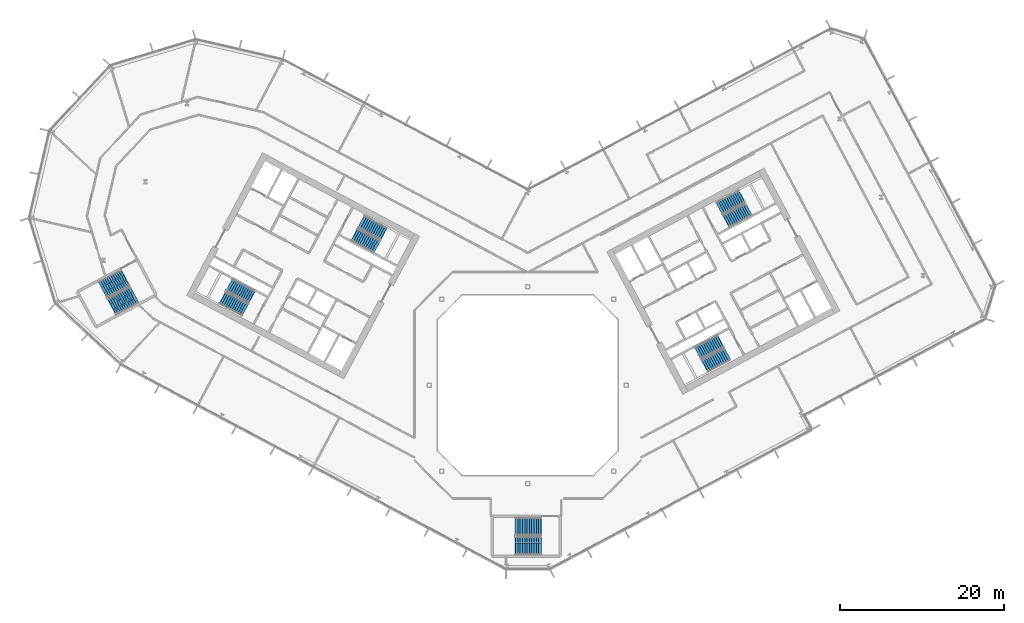
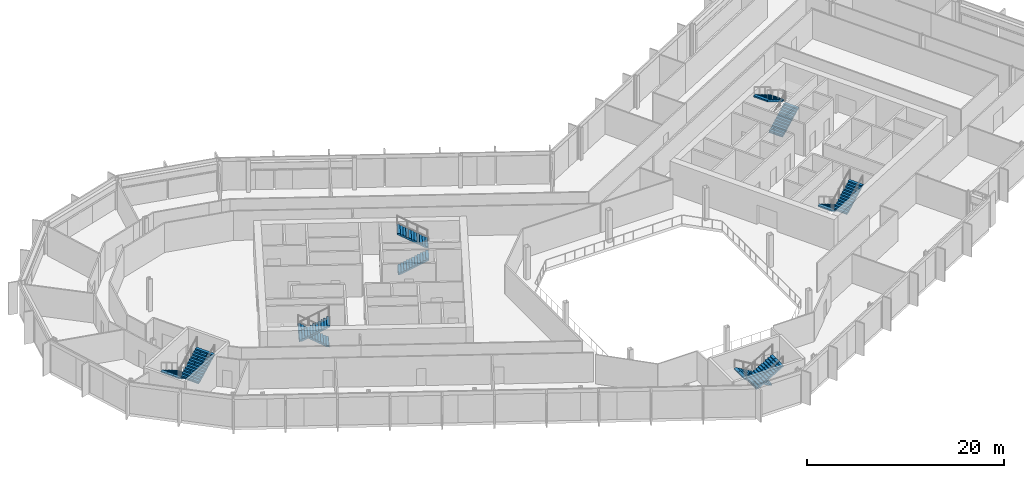
# One storey, part 18 of 28: 12 stair flights, 6 elements without a shape of their own.
"""IFC4 building model written with IfcOpenShell, lengths in metres."""

from ifc_helpers import new_model, si_unit, direction, frame, origin, place, context, subcontext, project, spatial, polyline, outline, extrude, material, type_object, element, aggregate, save


model = new_model("IFC4")

# Units and contexts
model_context = context("Model", 3, precision=1e-05, world=origin(), true_north=direction((0.0, 1.0)))
body_context = subcontext(model_context, "Body", "Model", "MODEL_VIEW")
ifc_project = project(units=[si_unit("LENGTHUNIT", "METRE"), si_unit("AREAUNIT", "SQUARE_METRE"), si_unit("VOLUMEUNIT", "CUBIC_METRE"), si_unit("PLANEANGLEUNIT", "RADIAN"), si_unit("MASSUNIT", "GRAM", prefix="KILO")], contexts=[model_context])

# Site, building, storey
site_placement = place(None, origin())
site = spatial("IfcSite", under=ifc_project, at=site_placement, CompositionType="ELEMENT")
building_placement = place(site_placement, origin())
building = spatial("IfcBuilding", under=site, at=building_placement, Name="Cormorant Relay Tower", CompositionType="ELEMENT")
storey_placement = place(building_placement, frame((0.0, 0.0, 138.199951171875)))
storey = spatial("IfcBuildingStorey", under=building, at=storey_placement, Name="L28", CompositionType="ELEMENT", Elevation=138.199951171875)

# Stair, stair flights
ifc_material_1 = material(Name="Concrete 40 MPa", Category="concrete")
stair_type_1 = type_object("IfcStairType", Name="Exit stair 1500", PredefinedType="HALF_TURN_STAIR", material=ifc_material_1)
stair_1_placement = place(storey_placement, origin())
stair_1 = element("IfcStair", 1, at=stair_1_placement, inside=storey, type_object=stair_type_1, Name="L28 Stair", PredefinedType="HALF_TURN_STAIR")
ifc_material_2 = material(Name="Concrete 40 MPa", Category="concrete")
stair_flight_type_1 = type_object("IfcStairFlightType", Name="Exit stair flight 1650", PredefinedType="STRAIGHT", material=ifc_material_2)
stair_flight_1_placement = place(storey_placement, frame((-21.114501953125, 18.33349609375, 0.0), z_axis=(0.0, 0.0, 1.0), x_axis=(0.882947592859, -0.469471562786, 0.0)))
stair_flight_1 = element("IfcStairFlight", 2, at=stair_flight_1_placement, type_object=stair_flight_type_1, Name="A1 flight 1", NumberOfRisers=12, NumberOfTreads=11, PredefinedType="STRAIGHT", RiserHeight=0.166666667, TreadLength=0.28, context=body_context, shape_type="SweptSolid", body=[
    extrude(outline(polyline([(-0.050048828125, -0.080078125), (-0.050048828125, 0.0), (0.0, 0.0), (0.0, 0.166748046875), (0.280029296875, 0.166748046875), (0.280029296875, 0.333251953125), (0.56005859375, 0.333251953125), (0.56005859375, 0.5), (0.840087890625, 0.5), (0.840087890625, 0.666748046875), (1.1201171875, 0.666748046875), (1.1201171875, 0.833251953125), (1.39990234375, 0.833251953125), (1.39990234375, 1.0), (1.679931640625, 1.0), (1.679931640625, 1.166748046875), (1.9599609375, 1.166748046875), (1.9599609375, 1.333251953125), (2.239990234375, 1.333251953125), (2.239990234375, 1.5), (2.52001953125, 1.5), (2.52001953125, 1.666748046875), (2.800048828125, 1.666748046875), (2.800048828125, 1.833251953125), (3.080078125, 1.833251953125), (3.130126953125, 1.833251953125), (3.130126953125, 1.658935546875), (3.080078125, 1.658935546875), (0.29296875, 0.0), (-0.050048828125, -0.080078125)])), frame((0.0, 0.824951171875, 0.0), z_axis=(0.0, -1.0, 0.0), x_axis=(1.0, 0.0, 0.0)), (0.0, 0.0, 1.0), 1.64990234375),
])
stair_flight_2_placement = place(storey_placement, frame((-17.5498046875, 18.47705078125, 2.0), z_axis=(0.0, 0.0, 1.0), x_axis=(-0.882947592859, 0.469471562786, 0.0)))
stair_flight_2 = element("IfcStairFlight", 3, at=stair_flight_2_placement, type_object=stair_flight_type_1, Name="A1 flight 2", NumberOfRisers=12, NumberOfTreads=11, PredefinedType="STRAIGHT", RiserHeight=0.166666667, TreadLength=0.28, context=body_context, shape_type="SweptSolid", body=[
    extrude(outline(polyline([(-0.050048828125, -0.080078125), (-0.050048828125, 0.0), (0.0, 0.0), (0.0, 0.166748046875), (0.280029296875, 0.166748046875), (0.280029296875, 0.333251953125), (0.56005859375, 0.333251953125), (0.56005859375, 0.5), (0.840087890625, 0.5), (0.840087890625, 0.666748046875), (1.1201171875, 0.666748046875), (1.1201171875, 0.833251953125), (1.39990234375, 0.833251953125), (1.39990234375, 1.0), (1.679931640625, 1.0), (1.679931640625, 1.166748046875), (1.9599609375, 1.166748046875), (1.9599609375, 1.333251953125), (2.239990234375, 1.333251953125), (2.239990234375, 1.5), (2.52001953125, 1.5), (2.52001953125, 1.666748046875), (2.800048828125, 1.666748046875), (2.800048828125, 1.833251953125), (3.080078125, 1.833251953125), (3.130126953125, 1.833251953125), (3.130126953125, 1.658935546875), (3.080078125, 1.658935546875), (0.29296875, 0.0), (-0.050048828125, -0.080078125)])), frame((0.0, 0.824951171875, 0.0), z_axis=(0.0, -1.0, 0.0), x_axis=(1.0, 0.0, 0.0)), (0.0, 0.0, 1.0), 1.64990234375),
])
aggregate(stair_1, [stair_flight_1, stair_flight_2])

stair_2_placement = place(storey_placement, origin())
stair_2 = element("IfcStair", 4, at=stair_2_placement, inside=storey, type_object=stair_type_1, Name="L28 Stair", PredefinedType="HALF_TURN_STAIR")
stair_flight_3_placement = place(storey_placement, frame((-33.62841796875, 10.773681640625, 0.0), z_axis=(0.0, 0.0, 1.0), x_axis=(-0.882947592859, 0.469471562786, 0.0)))
stair_flight_3 = element("IfcStairFlight", 5, at=stair_flight_3_placement, type_object=stair_flight_type_1, Name="A2 flight 1", NumberOfRisers=12, NumberOfTreads=11, PredefinedType="STRAIGHT", RiserHeight=0.166666667, TreadLength=0.28, context=body_context, shape_type="SweptSolid", body=[
    extrude(outline(polyline([(-0.050048828125, -0.080078125), (-0.050048828125, 0.0), (0.0, 0.0), (0.0, 0.166748046875), (0.280029296875, 0.166748046875), (0.280029296875, 0.333251953125), (0.56005859375, 0.333251953125), (0.56005859375, 0.5), (0.840087890625, 0.5), (0.840087890625, 0.666748046875), (1.1201171875, 0.666748046875), (1.1201171875, 0.833251953125), (1.39990234375, 0.833251953125), (1.39990234375, 1.0), (1.679931640625, 1.0), (1.679931640625, 1.166748046875), (1.9599609375, 1.166748046875), (1.9599609375, 1.333251953125), (2.239990234375, 1.333251953125), (2.239990234375, 1.5), (2.52001953125, 1.5), (2.52001953125, 1.666748046875), (2.800048828125, 1.666748046875), (2.800048828125, 1.833251953125), (3.080078125, 1.833251953125), (3.130126953125, 1.833251953125), (3.130126953125, 1.658935546875), (3.080078125, 1.658935546875), (0.29296875, 0.0), (-0.050048828125, -0.080078125)])), frame((0.0, 0.824951171875, 0.0), z_axis=(0.0, -1.0, 0.0), x_axis=(1.0, 0.0, 0.0)), (0.0, 0.0, 1.0), 1.64990234375),
])
stair_flight_4_placement = place(storey_placement, frame((-37.19287109375, 10.63037109375, 2.0), z_axis=(0.0, 0.0, 1.0), x_axis=(0.882947592859, -0.469471562786, 0.0)))
stair_flight_4 = element("IfcStairFlight", 6, at=stair_flight_4_placement, type_object=stair_flight_type_1, Name="A2 flight 2", NumberOfRisers=12, NumberOfTreads=11, PredefinedType="STRAIGHT", RiserHeight=0.166666667, TreadLength=0.28, context=body_context, shape_type="SweptSolid", body=[
    extrude(outline(polyline([(-0.050048828125, -0.080078125), (-0.050048828125, 0.0), (0.0, 0.0), (0.0, 0.166748046875), (0.280029296875, 0.166748046875), (0.280029296875, 0.333251953125), (0.56005859375, 0.333251953125), (0.56005859375, 0.5), (0.840087890625, 0.5), (0.840087890625, 0.666748046875), (1.1201171875, 0.666748046875), (1.1201171875, 0.833251953125), (1.39990234375, 0.833251953125), (1.39990234375, 1.0), (1.679931640625, 1.0), (1.679931640625, 1.166748046875), (1.9599609375, 1.166748046875), (1.9599609375, 1.333251953125), (2.239990234375, 1.333251953125), (2.239990234375, 1.5), (2.52001953125, 1.5), (2.52001953125, 1.666748046875), (2.800048828125, 1.666748046875), (2.800048828125, 1.833251953125), (3.080078125, 1.833251953125), (3.130126953125, 1.833251953125), (3.130126953125, 1.658935546875), (3.080078125, 1.658935546875), (0.29296875, 0.0), (-0.050048828125, -0.080078125)])), frame((0.0, 0.824951171875, 0.0), z_axis=(0.0, -1.0, 0.0), x_axis=(1.0, 0.0, 0.0)), (0.0, 0.0, 1.0), 1.64990234375),
])
aggregate(stair_2, [stair_flight_3, stair_flight_4])

stair_3_placement = place(storey_placement, origin())
stair_3 = element("IfcStair", 7, at=stair_3_placement, inside=storey, type_object=stair_type_1, Name="L28 Stair", PredefinedType="HALF_TURN_STAIR")
stair_flight_5_placement = place(storey_placement, frame((23.474365234375, 5.374755859375, 0.0), z_axis=(0.0, 0.0, 1.0), x_axis=(-0.882947592859, -0.469471562786, 0.0)))
stair_flight_5 = element("IfcStairFlight", 8, at=stair_flight_5_placement, type_object=stair_flight_type_1, Name="B1 flight 1", NumberOfRisers=12, NumberOfTreads=11, PredefinedType="STRAIGHT", RiserHeight=0.166666667, TreadLength=0.28, context=body_context, shape_type="SweptSolid", body=[
    extrude(outline(polyline([(-0.050048828125, -0.080078125), (-0.050048828125, 0.0), (0.0, 0.0), (0.0, 0.166748046875), (0.280029296875, 0.166748046875), (0.280029296875, 0.333251953125), (0.56005859375, 0.333251953125), (0.56005859375, 0.5), (0.840087890625, 0.5), (0.840087890625, 0.666748046875), (1.1201171875, 0.666748046875), (1.1201171875, 0.833251953125), (1.39990234375, 0.833251953125), (1.39990234375, 1.0), (1.679931640625, 1.0), (1.679931640625, 1.166748046875), (1.9599609375, 1.166748046875), (1.9599609375, 1.333251953125), (2.239990234375, 1.333251953125), (2.239990234375, 1.5), (2.52001953125, 1.5), (2.52001953125, 1.666748046875), (2.800048828125, 1.666748046875), (2.800048828125, 1.833251953125), (3.080078125, 1.833251953125), (3.130126953125, 1.833251953125), (3.130126953125, 1.658935546875), (3.080078125, 1.658935546875), (0.29296875, 0.0), (-0.050048828125, -0.080078125)])), frame((0.0, 0.824951171875, 0.0), z_axis=(0.0, -1.0, 0.0), x_axis=(1.0, 0.0, 0.0)), (0.0, 0.0, 1.0), 1.64990234375),
])
stair_flight_6_placement = place(storey_placement, frame((21.60009765625, 2.33935546875, 2.0), z_axis=(0.0, 0.0, 1.0), x_axis=(0.882947592859, 0.469471562786, 0.0)))
stair_flight_6 = element("IfcStairFlight", 9, at=stair_flight_6_placement, type_object=stair_flight_type_1, Name="B1 flight 2", NumberOfRisers=12, NumberOfTreads=11, PredefinedType="STRAIGHT", RiserHeight=0.166666667, TreadLength=0.28, context=body_context, shape_type="SweptSolid", body=[
    extrude(outline(polyline([(-0.050048828125, -0.080078125), (-0.050048828125, 0.0), (0.0, 0.0), (0.0, 0.166748046875), (0.280029296875, 0.166748046875), (0.280029296875, 0.333251953125), (0.56005859375, 0.333251953125), (0.56005859375, 0.5), (0.840087890625, 0.5), (0.840087890625, 0.666748046875), (1.1201171875, 0.666748046875), (1.1201171875, 0.833251953125), (1.39990234375, 0.833251953125), (1.39990234375, 1.0), (1.679931640625, 1.0), (1.679931640625, 1.166748046875), (1.9599609375, 1.166748046875), (1.9599609375, 1.333251953125), (2.239990234375, 1.333251953125), (2.239990234375, 1.5), (2.52001953125, 1.5), (2.52001953125, 1.666748046875), (2.800048828125, 1.666748046875), (2.800048828125, 1.833251953125), (3.080078125, 1.833251953125), (3.130126953125, 1.833251953125), (3.130126953125, 1.658935546875), (3.080078125, 1.658935546875), (0.29296875, 0.0), (-0.050048828125, -0.080078125)])), frame((0.0, 0.824951171875, 0.0), z_axis=(0.0, -1.0, 0.0), x_axis=(1.0, 0.0, 0.0)), (0.0, 0.0, 1.0), 1.64990234375),
])
aggregate(stair_3, [stair_flight_5, stair_flight_6])

stair_4_placement = place(storey_placement, origin())
stair_4 = element("IfcStair", 10, at=stair_4_placement, inside=storey, type_object=stair_type_1, Name="L28 Stair", PredefinedType="HALF_TURN_STAIR")
stair_flight_7_placement = place(storey_placement, frame((24.20458984375, 19.976806640625, 0.0), z_axis=(0.0, 0.0, 1.0), x_axis=(0.882947592859, 0.469471562786, 0.0)))
stair_flight_7 = element("IfcStairFlight", 11, at=stair_flight_7_placement, type_object=stair_flight_type_1, Name="B2 flight 1", NumberOfRisers=12, NumberOfTreads=11, PredefinedType="STRAIGHT", RiserHeight=0.166666667, TreadLength=0.28, context=body_context, shape_type="SweptSolid", body=[
    extrude(outline(polyline([(-0.050048828125, -0.080078125), (-0.050048828125, 0.0), (0.0, 0.0), (0.0, 0.166748046875), (0.280029296875, 0.166748046875), (0.280029296875, 0.333251953125), (0.56005859375, 0.333251953125), (0.56005859375, 0.5), (0.840087890625, 0.5), (0.840087890625, 0.666748046875), (1.1201171875, 0.666748046875), (1.1201171875, 0.833251953125), (1.39990234375, 0.833251953125), (1.39990234375, 1.0), (1.679931640625, 1.0), (1.679931640625, 1.166748046875), (1.9599609375, 1.166748046875), (1.9599609375, 1.333251953125), (2.239990234375, 1.333251953125), (2.239990234375, 1.5), (2.52001953125, 1.5), (2.52001953125, 1.666748046875), (2.800048828125, 1.666748046875), (2.800048828125, 1.833251953125), (3.080078125, 1.833251953125), (3.130126953125, 1.833251953125), (3.130126953125, 1.658935546875), (3.080078125, 1.658935546875), (0.29296875, 0.0), (-0.050048828125, -0.080078125)])), frame((0.0, 0.824951171875, 0.0), z_axis=(0.0, -1.0, 0.0), x_axis=(1.0, 0.0, 0.0)), (0.0, 0.0, 1.0), 1.64990234375),
])
stair_flight_8_placement = place(storey_placement, frame((26.0791015625, 23.011962890625, 2.0), z_axis=(0.0, 0.0, 1.0), x_axis=(-0.882947592859, -0.469471562786, 0.0)))
stair_flight_8 = element("IfcStairFlight", 12, at=stair_flight_8_placement, type_object=stair_flight_type_1, Name="B2 flight 2", NumberOfRisers=12, NumberOfTreads=11, PredefinedType="STRAIGHT", RiserHeight=0.166666667, TreadLength=0.28, context=body_context, shape_type="SweptSolid", body=[
    extrude(outline(polyline([(-0.050048828125, -0.080078125), (-0.050048828125, 0.0), (0.0, 0.0), (0.0, 0.166748046875), (0.280029296875, 0.166748046875), (0.280029296875, 0.333251953125), (0.56005859375, 0.333251953125), (0.56005859375, 0.5), (0.840087890625, 0.5), (0.840087890625, 0.666748046875), (1.1201171875, 0.666748046875), (1.1201171875, 0.833251953125), (1.39990234375, 0.833251953125), (1.39990234375, 1.0), (1.679931640625, 1.0), (1.679931640625, 1.166748046875), (1.9599609375, 1.166748046875), (1.9599609375, 1.333251953125), (2.239990234375, 1.333251953125), (2.239990234375, 1.5), (2.52001953125, 1.5), (2.52001953125, 1.666748046875), (2.800048828125, 1.666748046875), (2.800048828125, 1.833251953125), (3.080078125, 1.833251953125), (3.130126953125, 1.833251953125), (3.130126953125, 1.658935546875), (3.080078125, 1.658935546875), (0.29296875, 0.0), (-0.050048828125, -0.080078125)])), frame((0.0, 0.824951171875, 0.0), z_axis=(0.0, -1.0, 0.0), x_axis=(1.0, 0.0, 0.0)), (0.0, 0.0, 1.0), 1.64990234375),
])
aggregate(stair_4, [stair_flight_7, stair_flight_8])

ifc_material_3 = material(Name="Concrete 40 MPa", Category="concrete")
stair_type_2 = type_object("IfcStairType", Name="Remote exit stair 2200", PredefinedType="HALF_TURN_STAIR", material=ifc_material_3)
stair_5_placement = place(storey_placement, origin())
stair_5 = element("IfcStair", 13, at=stair_5_placement, inside=storey, type_object=stair_type_2, Name="L28 Stair", PredefinedType="HALF_TURN_STAIR")
ifc_material_4 = material(Name="Concrete 40 MPa", Category="concrete")
stair_flight_type_2 = type_object("IfcStairFlightType", Name="Remote exit stair flight 2200", PredefinedType="STRAIGHT", material=ifc_material_4)
stair_flight_9_placement = place(storey_placement, frame((1.60009765625, -17.22509765625, 0.0), z_axis=(0.0, 0.0, 1.0), x_axis=(-1.0, 0.0, 0.0)))
stair_flight_9 = element("IfcStairFlight", 14, at=stair_flight_9_placement, type_object=stair_flight_type_2, Name="RK1 flight 1", NumberOfRisers=12, NumberOfTreads=11, PredefinedType="STRAIGHT", RiserHeight=0.166666667, TreadLength=0.28, context=body_context, shape_type="SweptSolid", body=[
    extrude(outline(polyline([(-0.050048828125, -0.080078125), (-0.050048828125, 0.0), (0.0, 0.0), (0.0, 0.166748046875), (0.280029296875, 0.166748046875), (0.280029296875, 0.333251953125), (0.56005859375, 0.333251953125), (0.56005859375, 0.5), (0.840087890625, 0.5), (0.840087890625, 0.666748046875), (1.1201171875, 0.666748046875), (1.1201171875, 0.833251953125), (1.39990234375, 0.833251953125), (1.39990234375, 1.0), (1.679931640625, 1.0), (1.679931640625, 1.166748046875), (1.9599609375, 1.166748046875), (1.9599609375, 1.333251953125), (2.239990234375, 1.333251953125), (2.239990234375, 1.5), (2.52001953125, 1.5), (2.52001953125, 1.666748046875), (2.800048828125, 1.666748046875), (2.800048828125, 1.833251953125), (3.080078125, 1.833251953125), (3.130126953125, 1.833251953125), (3.130126953125, 1.658935546875), (3.080078125, 1.658935546875), (0.29296875, 0.0), (-0.050048828125, -0.080078125)])), frame((0.0, 1.10009765625, 0.0), z_axis=(0.0, -1.0, 0.0), x_axis=(1.0, 0.0, 0.0)), (0.0, 0.0, 1.0), 0.719970703125),
    extrude(outline(polyline([(-0.050048828125, -0.080078125), (-0.050048828125, 0.0), (0.0, 0.0), (0.0, 0.166748046875), (0.280029296875, 0.166748046875), (0.280029296875, 0.333251953125), (0.56005859375, 0.333251953125), (0.56005859375, 0.5), (0.840087890625, 0.5), (0.840087890625, 0.666748046875), (1.1201171875, 0.666748046875), (1.1201171875, 0.833251953125), (1.39990234375, 0.833251953125), (1.39990234375, 1.0), (1.679931640625, 1.0), (1.679931640625, 1.166748046875), (1.9599609375, 1.166748046875), (1.9599609375, 1.333251953125), (2.239990234375, 1.333251953125), (2.239990234375, 1.5), (2.52001953125, 1.5), (2.52001953125, 1.666748046875), (2.800048828125, 1.666748046875), (2.800048828125, 1.833251953125), (3.080078125, 1.833251953125), (3.130126953125, 1.833251953125), (3.130126953125, 1.658935546875), (3.080078125, 1.658935546875), (0.29296875, 0.0), (-0.050048828125, -0.080078125)])), frame((0.0, 0.360107421875, 0.0), z_axis=(0.0, -1.0, 0.0), x_axis=(1.0, 0.0, 0.0)), (0.0, 0.0, 1.0), 0.719970703125),
    extrude(outline(polyline([(-0.050048828125, -0.080078125), (-0.050048828125, 0.0), (0.0, 0.0), (0.0, 0.166748046875), (0.280029296875, 0.166748046875), (0.280029296875, 0.333251953125), (0.56005859375, 0.333251953125), (0.56005859375, 0.5), (0.840087890625, 0.5), (0.840087890625, 0.666748046875), (1.1201171875, 0.666748046875), (1.1201171875, 0.833251953125), (1.39990234375, 0.833251953125), (1.39990234375, 1.0), (1.679931640625, 1.0), (1.679931640625, 1.166748046875), (1.9599609375, 1.166748046875), (1.9599609375, 1.333251953125), (2.239990234375, 1.333251953125), (2.239990234375, 1.5), (2.52001953125, 1.5), (2.52001953125, 1.666748046875), (2.800048828125, 1.666748046875), (2.800048828125, 1.833251953125), (3.080078125, 1.833251953125), (3.130126953125, 1.833251953125), (3.130126953125, 1.658935546875), (3.080078125, 1.658935546875), (0.29296875, 0.0), (-0.050048828125, -0.080078125)])), frame((0.0, -0.3798828125, 0.0), z_axis=(0.0, -1.0, 0.0), x_axis=(1.0, 0.0, 0.0)), (0.0, 0.0, 1.0), 0.719970703125),
])
stair_flight_10_placement = place(storey_placement, frame((-1.47998046875, -19.574951171875, 2.0), z_axis=(0.0, 0.0, 1.0), x_axis=(1.0, 0.0, 0.0)))
stair_flight_10 = element("IfcStairFlight", 15, at=stair_flight_10_placement, type_object=stair_flight_type_2, Name="RK1 flight 2", NumberOfRisers=12, NumberOfTreads=11, PredefinedType="STRAIGHT", RiserHeight=0.166666667, TreadLength=0.28, context=body_context, shape_type="SweptSolid", body=[
    extrude(outline(polyline([(-0.050048828125, -0.080078125), (-0.050048828125, 0.0), (0.0, 0.0), (0.0, 0.166748046875), (0.280029296875, 0.166748046875), (0.280029296875, 0.333251953125), (0.56005859375, 0.333251953125), (0.56005859375, 0.5), (0.840087890625, 0.5), (0.840087890625, 0.666748046875), (1.1201171875, 0.666748046875), (1.1201171875, 0.833251953125), (1.39990234375, 0.833251953125), (1.39990234375, 1.0), (1.679931640625, 1.0), (1.679931640625, 1.166748046875), (1.9599609375, 1.166748046875), (1.9599609375, 1.333251953125), (2.239990234375, 1.333251953125), (2.239990234375, 1.5), (2.52001953125, 1.5), (2.52001953125, 1.666748046875), (2.800048828125, 1.666748046875), (2.800048828125, 1.833251953125), (3.080078125, 1.833251953125), (3.130126953125, 1.833251953125), (3.130126953125, 1.658935546875), (3.080078125, 1.658935546875), (0.29296875, 0.0), (-0.050048828125, -0.080078125)])), frame((0.0, 1.10009765625, 0.0), z_axis=(0.0, -1.0, 0.0), x_axis=(1.0, 0.0, 0.0)), (0.0, 0.0, 1.0), 0.719970703125),
    extrude(outline(polyline([(-0.050048828125, -0.080078125), (-0.050048828125, 0.0), (0.0, 0.0), (0.0, 0.166748046875), (0.280029296875, 0.166748046875), (0.280029296875, 0.333251953125), (0.56005859375, 0.333251953125), (0.56005859375, 0.5), (0.840087890625, 0.5), (0.840087890625, 0.666748046875), (1.1201171875, 0.666748046875), (1.1201171875, 0.833251953125), (1.39990234375, 0.833251953125), (1.39990234375, 1.0), (1.679931640625, 1.0), (1.679931640625, 1.166748046875), (1.9599609375, 1.166748046875), (1.9599609375, 1.333251953125), (2.239990234375, 1.333251953125), (2.239990234375, 1.5), (2.52001953125, 1.5), (2.52001953125, 1.666748046875), (2.800048828125, 1.666748046875), (2.800048828125, 1.833251953125), (3.080078125, 1.833251953125), (3.130126953125, 1.833251953125), (3.130126953125, 1.658935546875), (3.080078125, 1.658935546875), (0.29296875, 0.0), (-0.050048828125, -0.080078125)])), frame((0.0, 0.360107421875, 0.0), z_axis=(0.0, -1.0, 0.0), x_axis=(1.0, 0.0, 0.0)), (0.0, 0.0, 1.0), 0.719970703125),
    extrude(outline(polyline([(-0.050048828125, -0.080078125), (-0.050048828125, 0.0), (0.0, 0.0), (0.0, 0.166748046875), (0.280029296875, 0.166748046875), (0.280029296875, 0.333251953125), (0.56005859375, 0.333251953125), (0.56005859375, 0.5), (0.840087890625, 0.5), (0.840087890625, 0.666748046875), (1.1201171875, 0.666748046875), (1.1201171875, 0.833251953125), (1.39990234375, 0.833251953125), (1.39990234375, 1.0), (1.679931640625, 1.0), (1.679931640625, 1.166748046875), (1.9599609375, 1.166748046875), (1.9599609375, 1.333251953125), (2.239990234375, 1.333251953125), (2.239990234375, 1.5), (2.52001953125, 1.5), (2.52001953125, 1.666748046875), (2.800048828125, 1.666748046875), (2.800048828125, 1.833251953125), (3.080078125, 1.833251953125), (3.130126953125, 1.833251953125), (3.130126953125, 1.658935546875), (3.080078125, 1.658935546875), (0.29296875, 0.0), (-0.050048828125, -0.080078125)])), frame((0.0, -0.3798828125, 0.0), z_axis=(0.0, -1.0, 0.0), x_axis=(1.0, 0.0, 0.0)), (0.0, 0.0, 1.0), 0.719970703125),
])
aggregate(stair_5, [stair_flight_9, stair_flight_10])

stair_6_placement = place(storey_placement, origin())
stair_6 = element("IfcStair", 16, at=stair_6_placement, inside=storey, type_object=stair_type_2, Name="L28 Stair", PredefinedType="HALF_TURN_STAIR")
stair_flight_11_placement = place(storey_placement, frame((-49.062255859375, 13.08251953125, 0.0), z_axis=(0.0, 0.0, 1.0), x_axis=(-0.882947502727, -0.4694717323, 0.0)))
stair_flight_11 = element("IfcStairFlight", 17, at=stair_flight_11_placement, type_object=stair_flight_type_2, Name="RP1 flight 1", NumberOfRisers=12, NumberOfTreads=11, PredefinedType="STRAIGHT", RiserHeight=0.166666667, TreadLength=0.28, context=body_context, shape_type="SweptSolid", body=[
    extrude(outline(polyline([(-0.050048828125, -0.080078125), (-0.050048828125, 0.0), (0.0, 0.0), (0.0, 0.166748046875), (0.280029296875, 0.166748046875), (0.280029296875, 0.333251953125), (0.56005859375, 0.333251953125), (0.56005859375, 0.5), (0.840087890625, 0.5), (0.840087890625, 0.666748046875), (1.1201171875, 0.666748046875), (1.1201171875, 0.833251953125), (1.39990234375, 0.833251953125), (1.39990234375, 1.0), (1.679931640625, 1.0), (1.679931640625, 1.166748046875), (1.9599609375, 1.166748046875), (1.9599609375, 1.333251953125), (2.239990234375, 1.333251953125), (2.239990234375, 1.5), (2.52001953125, 1.5), (2.52001953125, 1.666748046875), (2.800048828125, 1.666748046875), (2.800048828125, 1.833251953125), (3.080078125, 1.833251953125), (3.130126953125, 1.833251953125), (3.130126953125, 1.658935546875), (3.080078125, 1.658935546875), (0.29296875, 0.0), (-0.050048828125, -0.080078125)])), frame((0.0, 1.10009765625, 0.0), z_axis=(0.0, -1.0, 0.0), x_axis=(1.0, 0.0, 0.0)), (0.0, 0.0, 1.0), 0.719970703125),
    extrude(outline(polyline([(-0.050048828125, -0.080078125), (-0.050048828125, 0.0), (0.0, 0.0), (0.0, 0.166748046875), (0.280029296875, 0.166748046875), (0.280029296875, 0.333251953125), (0.56005859375, 0.333251953125), (0.56005859375, 0.5), (0.840087890625, 0.5), (0.840087890625, 0.666748046875), (1.1201171875, 0.666748046875), (1.1201171875, 0.833251953125), (1.39990234375, 0.833251953125), (1.39990234375, 1.0), (1.679931640625, 1.0), (1.679931640625, 1.166748046875), (1.9599609375, 1.166748046875), (1.9599609375, 1.333251953125), (2.239990234375, 1.333251953125), (2.239990234375, 1.5), (2.52001953125, 1.5), (2.52001953125, 1.666748046875), (2.800048828125, 1.666748046875), (2.800048828125, 1.833251953125), (3.080078125, 1.833251953125), (3.130126953125, 1.833251953125), (3.130126953125, 1.658935546875), (3.080078125, 1.658935546875), (0.29296875, 0.0), (-0.050048828125, -0.080078125)])), frame((0.0, 0.360107421875, 0.0), z_axis=(0.0, -1.0, 0.0), x_axis=(1.0, 0.0, 0.0)), (0.0, 0.0, 1.0), 0.719970703125),
    extrude(outline(polyline([(-0.050048828125, -0.080078125), (-0.050048828125, 0.0), (0.0, 0.0), (0.0, 0.166748046875), (0.280029296875, 0.166748046875), (0.280029296875, 0.333251953125), (0.56005859375, 0.333251953125), (0.56005859375, 0.5), (0.840087890625, 0.5), (0.840087890625, 0.666748046875), (1.1201171875, 0.666748046875), (1.1201171875, 0.833251953125), (1.39990234375, 0.833251953125), (1.39990234375, 1.0), (1.679931640625, 1.0), (1.679931640625, 1.166748046875), (1.9599609375, 1.166748046875), (1.9599609375, 1.333251953125), (2.239990234375, 1.333251953125), (2.239990234375, 1.5), (2.52001953125, 1.5), (2.52001953125, 1.666748046875), (2.800048828125, 1.666748046875), (2.800048828125, 1.833251953125), (3.080078125, 1.833251953125), (3.130126953125, 1.833251953125), (3.130126953125, 1.658935546875), (3.080078125, 1.658935546875), (0.29296875, 0.0), (-0.050048828125, -0.080078125)])), frame((0.0, -0.3798828125, 0.0), z_axis=(0.0, -1.0, 0.0), x_axis=(1.0, 0.0, 0.0)), (0.0, 0.0, 1.0), 0.719970703125),
])
stair_flight_12_placement = place(storey_placement, frame((-50.678466796875, 9.5615234375, 2.0), z_axis=(0.0, 0.0, 1.0), x_axis=(0.882947502727, 0.4694717323, 0.0)))
stair_flight_12 = element("IfcStairFlight", 18, at=stair_flight_12_placement, type_object=stair_flight_type_2, Name="RP1 flight 2", NumberOfRisers=12, NumberOfTreads=11, PredefinedType="STRAIGHT", RiserHeight=0.166666667, TreadLength=0.28, context=body_context, shape_type="SweptSolid", body=[
    extrude(outline(polyline([(-0.050048828125, -0.080078125), (-0.050048828125, 0.0), (0.0, 0.0), (0.0, 0.166748046875), (0.280029296875, 0.166748046875), (0.280029296875, 0.333251953125), (0.56005859375, 0.333251953125), (0.56005859375, 0.5), (0.840087890625, 0.5), (0.840087890625, 0.666748046875), (1.1201171875, 0.666748046875), (1.1201171875, 0.833251953125), (1.39990234375, 0.833251953125), (1.39990234375, 1.0), (1.679931640625, 1.0), (1.679931640625, 1.166748046875), (1.9599609375, 1.166748046875), (1.9599609375, 1.333251953125), (2.239990234375, 1.333251953125), (2.239990234375, 1.5), (2.52001953125, 1.5), (2.52001953125, 1.666748046875), (2.800048828125, 1.666748046875), (2.800048828125, 1.833251953125), (3.080078125, 1.833251953125), (3.130126953125, 1.833251953125), (3.130126953125, 1.658935546875), (3.080078125, 1.658935546875), (0.29296875, 0.0), (-0.050048828125, -0.080078125)])), frame((0.0, 1.10009765625, 0.0), z_axis=(0.0, -1.0, 0.0), x_axis=(1.0, 0.0, 0.0)), (0.0, 0.0, 1.0), 0.719970703125),
    extrude(outline(polyline([(-0.050048828125, -0.080078125), (-0.050048828125, 0.0), (0.0, 0.0), (0.0, 0.166748046875), (0.280029296875, 0.166748046875), (0.280029296875, 0.333251953125), (0.56005859375, 0.333251953125), (0.56005859375, 0.5), (0.840087890625, 0.5), (0.840087890625, 0.666748046875), (1.1201171875, 0.666748046875), (1.1201171875, 0.833251953125), (1.39990234375, 0.833251953125), (1.39990234375, 1.0), (1.679931640625, 1.0), (1.679931640625, 1.166748046875), (1.9599609375, 1.166748046875), (1.9599609375, 1.333251953125), (2.239990234375, 1.333251953125), (2.239990234375, 1.5), (2.52001953125, 1.5), (2.52001953125, 1.666748046875), (2.800048828125, 1.666748046875), (2.800048828125, 1.833251953125), (3.080078125, 1.833251953125), (3.130126953125, 1.833251953125), (3.130126953125, 1.658935546875), (3.080078125, 1.658935546875), (0.29296875, 0.0), (-0.050048828125, -0.080078125)])), frame((0.0, 0.360107421875, 0.0), z_axis=(0.0, -1.0, 0.0), x_axis=(1.0, 0.0, 0.0)), (0.0, 0.0, 1.0), 0.719970703125),
    extrude(outline(polyline([(-0.050048828125, -0.080078125), (-0.050048828125, 0.0), (0.0, 0.0), (0.0, 0.166748046875), (0.280029296875, 0.166748046875), (0.280029296875, 0.333251953125), (0.56005859375, 0.333251953125), (0.56005859375, 0.5), (0.840087890625, 0.5), (0.840087890625, 0.666748046875), (1.1201171875, 0.666748046875), (1.1201171875, 0.833251953125), (1.39990234375, 0.833251953125), (1.39990234375, 1.0), (1.679931640625, 1.0), (1.679931640625, 1.166748046875), (1.9599609375, 1.166748046875), (1.9599609375, 1.333251953125), (2.239990234375, 1.333251953125), (2.239990234375, 1.5), (2.52001953125, 1.5), (2.52001953125, 1.666748046875), (2.800048828125, 1.666748046875), (2.800048828125, 1.833251953125), (3.080078125, 1.833251953125), (3.130126953125, 1.833251953125), (3.130126953125, 1.658935546875), (3.080078125, 1.658935546875), (0.29296875, 0.0), (-0.050048828125, -0.080078125)])), frame((0.0, -0.3798828125, 0.0), z_axis=(0.0, -1.0, 0.0), x_axis=(1.0, 0.0, 0.0)), (0.0, 0.0, 1.0), 0.719970703125),
])
aggregate(stair_6, [stair_flight_11, stair_flight_12])

save(model, "model.ifc")
